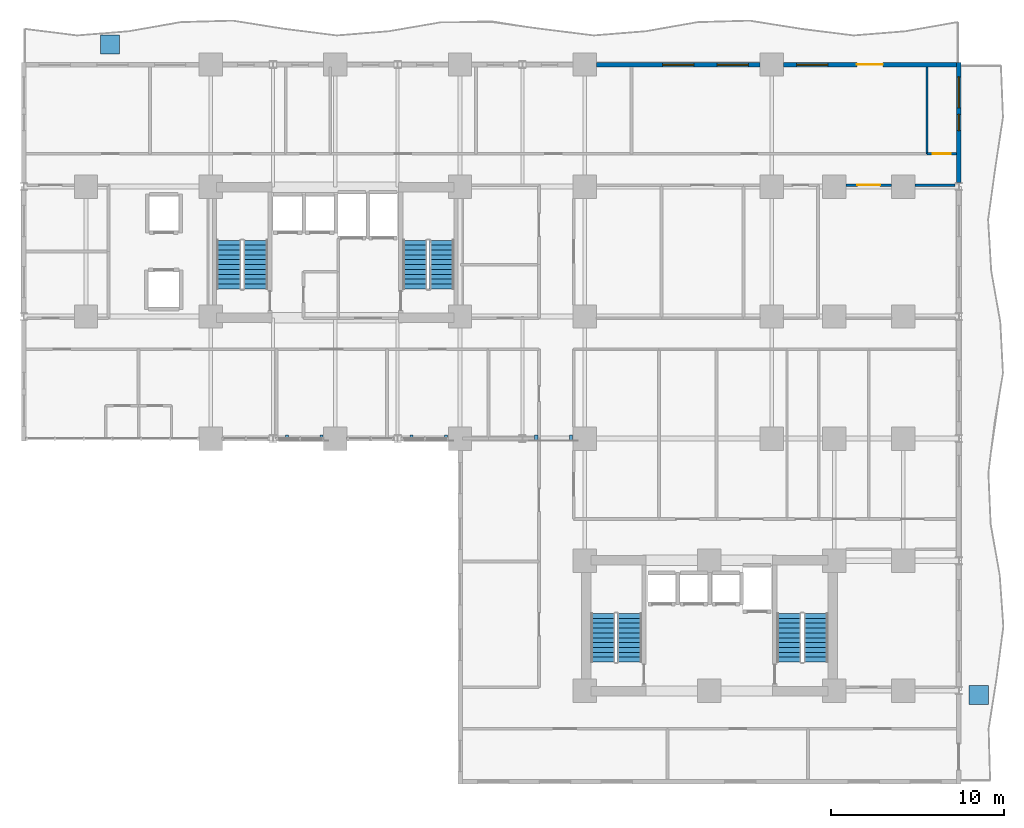
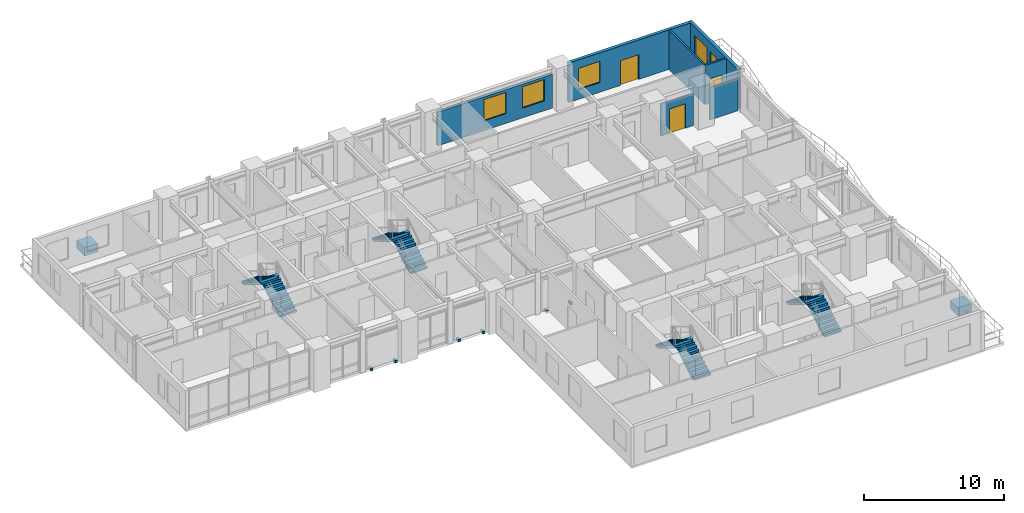
# One storey, part 13 of 16: 8 discrete accessories, 8 stair flights, 7 walls, 5 windows, 3 doors, 8 openings, 4 elements without a shape of their own.
"""IFC4 building model written with IfcOpenShell, lengths in metres."""

from ifc_helpers import new_model, si_unit, direction, frame, frame_2d, origin, origin_2d, place, context, subcontext, project, spatial, polyline, rectangle, outline, extrude, source, transform, mapped, material, layer, layer_set, type_object, element, fill, aggregate, save


model = new_model("IFC4")

# Units and contexts
model_context = context("Model", 3, precision=1e-05, world=origin(), true_north=direction((0.0, 1.0)))
body_context = subcontext(model_context, "Body", "Model", "MODEL_VIEW")
ifc_project = project(units=[si_unit("LENGTHUNIT", "METRE"), si_unit("AREAUNIT", "SQUARE_METRE"), si_unit("VOLUMEUNIT", "CUBIC_METRE"), si_unit("PLANEANGLEUNIT", "RADIAN"), si_unit("MASSUNIT", "GRAM", prefix="KILO")], contexts=[model_context])

# Site, building, storey
site_placement = place(None, origin())
site = spatial("IfcSite", under=ifc_project, at=site_placement, CompositionType="ELEMENT")
building_placement = place(site_placement, origin())
building = spatial("IfcBuilding", under=site, at=building_placement, Name="Kaliganga Portal Commons", CompositionType="ELEMENT")
storey_placement = place(building_placement, frame((0.0, 0.0, 29.0)))
storey = spatial("IfcBuildingStorey", under=building, at=storey_placement, Name="L06", CompositionType="ELEMENT", Elevation=29.0)

# Wall, openings, windows
ifc_material_1 = material(Name="Insulated Aluminium-Clad Spandrel Assembly", Category="aluminium")
ifc_layer_1 = layer(ifc_material_1, 0.260009765625)
ifc_layer_set_1 = layer_set([ifc_layer_1], Name="Insulated Aluminium-Clad Spandrel Assembly")
wall_type_1 = type_object("IfcWallType", Name="WL-EXT-SPAND-260", PredefinedType="STANDARD", material=ifc_layer_set_1)
wall_1_placement = place(storey_placement, frame((57.60009765625, 43.330078125, 0.0), z_axis=(0.0, 0.0, 1.0), x_axis=(0.0, -1.0, 0.0)))
wall_1 = element("IfcWall", 1, at=wall_1_placement, inside=storey, type_object=wall_type_1, Name="Exterior Envelope Wall L06 P1-E01-S6", PredefinedType="STANDARD", context=body_context, shape_type="SweptSolid", body=[
    extrude(rectangle(XDim=6.9560546875, YDim=0.260009765625, at=frame_2d((3.47802734375, 0.0))), origin(), (0.0, 0.0, 1.0), 3.429931640625),
])
opening_1_placement = place(wall_1_placement, frame((0.839111328125, 0.0, 0.85009765625)))
opening_1 = element("IfcOpeningElement", 2, at=opening_1_placement, cuts=wall_1, Name="Opening W-01", PredefinedType="OPENING", context=body_context, shape_type="SweptSolid", body=[
    extrude(rectangle(XDim=1.800048828125, YDim=1.85009765625, at=frame_2d((0.89990234375, 0.925048828125))), frame((0.0, 0.14013671875, 0.0), z_axis=(0.0, -1.0, 0.0), x_axis=(1.0, 0.0, 0.0)), (0.0, 0.0, 1.0), 0.280029296875),
])
opening_2_placement = place(wall_1_placement, frame((3.0029296875, 0.0, 0.85009765625)))
opening_2 = element("IfcOpeningElement", 3, at=opening_2_placement, cuts=wall_1, Name="Opening W-04", PredefinedType="OPENING", context=body_context, shape_type="SweptSolid", body=[
    extrude(rectangle(XDim=0.949951171875, YDim=1.75, at=frame_2d((0.47509765625, 0.875))), frame((0.0, 0.14013671875, 0.0), z_axis=(0.0, -1.0, 0.0), x_axis=(1.0, 0.0, 0.0)), (0.0, 0.0, 1.0), 0.280029296875),
])
ifc_material_2 = material(Name="Thermally Broken Aluminium and Low-E Double Glazing", Category="aluminium")
window_type_1 = type_object("IfcWindowType", Name="WIN-NARROW-950", PartitioningType="SINGLE_PANEL", PredefinedType="WINDOW", material=ifc_material_2)
window_1_placement = place(opening_2_placement, origin())
window_1 = element("IfcWindow", 4, at=window_1_placement, inside=storey, type_object=window_type_1, Name="Facade Window L06-P1E01S6-N0", OverallHeight=1.75, OverallWidth=0.949951171875, PartitioningType="SINGLE_PANEL", PredefinedType="WINDOW", context=body_context, shape_type="SweptSolid", body=[
    extrude(rectangle(XDim=0.949951171875, YDim=1.75, at=frame_2d((0.47509765625, 0.875))), frame((0.0, 0.030029296875, 0.0), z_axis=(0.0, -1.0, 0.0), x_axis=(1.0, 0.0, 0.0)), (0.0, 0.0, 1.0), 0.06005859375),
])
fill(opening_2, window_1)
window_type_2 = type_object("IfcWindowType", Name="WIN-STD-1800", PartitioningType="DOUBLE_PANEL_VERTICAL", PredefinedType="WINDOW", material=ifc_material_2)
window_2_placement = place(opening_1_placement, origin())
window_2 = element("IfcWindow", 5, at=window_2_placement, inside=storey, type_object=window_type_2, Name="Facade Window L06-P1E01S6-00", OverallHeight=1.85009765625, OverallWidth=1.800048828125, PartitioningType="SINGLE_PANEL", PredefinedType="WINDOW", context=body_context, shape_type="SweptSolid", body=[
    extrude(rectangle(XDim=1.800048828125, YDim=1.85009765625, at=frame_2d((0.89990234375, 0.925048828125))), frame((0.0, 0.030029296875, 0.0), z_axis=(0.0, -1.0, 0.0), x_axis=(1.0, 0.0, 0.0)), (0.0, 0.0, 1.0), 0.06005859375),
])
fill(opening_1, window_2)

# Wall, openings, door, window
wall_2_placement = place(storey_placement, frame((47.47607421875, 43.199951171875, 0.0), z_axis=(0.0, 0.0, 1.0), x_axis=(1.0, 0.0, 0.0)))
wall_2 = element("IfcWall", 6, at=wall_2_placement, inside=storey, type_object=wall_type_1, Name="Exterior Envelope Wall L06 P1-E02-S1", PredefinedType="STANDARD", context=body_context, shape_type="SweptSolid", body=[
    extrude(rectangle(XDim=9.989013671875, YDim=0.260009765625, at=frame_2d((4.99462890625, 0.0))), origin(), (0.0, 0.0, 1.0), 3.429931640625),
])
opening_3_placement = place(wall_2_placement, frame((4.2451171875, 0.0, 0.0)))
opening_3 = element("IfcOpeningElement", 7, at=opening_3_placement, cuts=wall_2, Name="Opening BD-01", PredefinedType="OPENING", context=body_context, shape_type="SweptSolid", body=[
    extrude(rectangle(XDim=1.5, YDim=2.14990234375, at=frame_2d((0.75, 1.074951171875))), frame((0.0, 0.14013671875, 0.0), z_axis=(0.0, -1.0, 0.0), x_axis=(1.0, 0.0, 0.0)), (0.0, 0.0, 1.0), 0.280029296875),
])
opening_4_placement = place(wall_2_placement, frame((0.764892578125, 0.0, 0.85009765625)))
opening_4 = element("IfcOpeningElement", 8, at=opening_4_placement, cuts=wall_2, Name="Opening W-01", PredefinedType="OPENING", context=body_context, shape_type="SweptSolid", body=[
    extrude(rectangle(XDim=1.800048828125, YDim=1.85009765625, at=frame_2d((0.89990234375, 0.925048828125))), frame((0.0, 0.14013671875, 0.0), z_axis=(0.0, -1.0, 0.0), x_axis=(1.0, 0.0, 0.0)), (0.0, 0.0, 1.0), 0.280029296875),
])
ifc_material_3 = material(Name="Anodized Aluminium and Laminated Safety Glass", Category="aluminium")
door_type_1 = type_object("IfcDoorType", Name="DR-BALC-1500", OperationType="SLIDING_TO_LEFT", PredefinedType="DOOR", material=ifc_material_3)
door_1_placement = place(opening_3_placement, origin())
door_1 = element("IfcDoor", 9, at=door_1_placement, inside=storey, type_object=door_type_1, Name="Balcony Sliding Door L06 balc_north", OperationType="SLIDING_TO_LEFT", OverallHeight=2.14990234375, OverallWidth=1.5, PredefinedType="DOOR", context=body_context, shape_type="SweptSolid", body=[
    extrude(rectangle(XDim=1.5, YDim=2.14990234375, at=frame_2d((0.75, 1.074951171875))), frame((0.0, 0.02490234375, 0.0), z_axis=(0.0, -1.0, 0.0), x_axis=(1.0, 0.0, 0.0)), (0.0, 0.0, 1.0), 0.050048828125),
])
fill(opening_3, door_1)
window_3_placement = place(opening_4_placement, origin())
window_3 = element("IfcWindow", 10, at=window_3_placement, inside=storey, type_object=window_type_2, Name="Facade Window L06-P1E02S1-00", OverallHeight=1.85009765625, OverallWidth=1.800048828125, PartitioningType="SINGLE_PANEL", PredefinedType="WINDOW", context=body_context, shape_type="SweptSolid", body=[
    extrude(rectangle(XDim=1.800048828125, YDim=1.85009765625, at=frame_2d((0.89990234375, 0.925048828125))), frame((0.0, 0.030029296875, 0.0), z_axis=(0.0, -1.0, 0.0), x_axis=(1.0, 0.0, 0.0)), (0.0, 0.0, 1.0), 0.06005859375),
])
fill(opening_4, window_3)

# Wall, openings, windows
wall_3_placement = place(storey_placement, frame((36.676025390625, 43.199951171875, 0.0), z_axis=(0.0, 0.0, 1.0), x_axis=(1.0, 0.0, 0.0)))
wall_3 = element("IfcWall", 11, at=wall_3_placement, inside=storey, type_object=wall_type_1, Name="Exterior Envelope Wall L06 P1-E02-S2", PredefinedType="STANDARD", context=body_context, shape_type="SweptSolid", body=[
    extrude(rectangle(XDim=9.447998046875, YDim=0.260009765625, at=frame_2d((4.72412109375, 0.0))), origin(), (0.0, 0.0, 1.0), 2.929931640625),
])
opening_5_placement = place(wall_3_placement, frame((3.823974609375, 0.0, 0.85009765625)))
opening_5 = element("IfcOpeningElement", 12, at=opening_5_placement, cuts=wall_3, Name="Opening W-01", PredefinedType="OPENING", context=body_context, shape_type="SweptSolid", body=[
    extrude(rectangle(XDim=1.800048828125, YDim=1.85009765625, at=frame_2d((0.89990234375, 0.925048828125))), frame((0.0, 0.14013671875, 0.0), z_axis=(0.0, -1.0, 0.0), x_axis=(1.0, 0.0, 0.0)), (0.0, 0.0, 1.0), 0.280029296875),
])
opening_6_placement = place(wall_3_placement, frame((6.973388671875, 0.0, 0.85009765625)))
opening_6 = element("IfcOpeningElement", 13, at=opening_6_placement, cuts=wall_3, Name="Opening W-01", PredefinedType="OPENING", context=body_context, shape_type="SweptSolid", body=[
    extrude(rectangle(XDim=1.800048828125, YDim=1.85009765625, at=frame_2d((0.89990234375, 0.925048828125))), frame((0.0, 0.14013671875, 0.0), z_axis=(0.0, -1.0, 0.0), x_axis=(1.0, 0.0, 0.0)), (0.0, 0.0, 1.0), 0.280029296875),
])
window_4_placement = place(opening_5_placement, origin())
window_4 = element("IfcWindow", 14, at=window_4_placement, inside=storey, type_object=window_type_2, Name="Facade Window L06-P1E02S2-01", OverallHeight=1.85009765625, OverallWidth=1.800048828125, PartitioningType="SINGLE_PANEL", PredefinedType="WINDOW", context=body_context, shape_type="SweptSolid", body=[
    extrude(rectangle(XDim=1.800048828125, YDim=1.85009765625, at=frame_2d((0.89990234375, 0.925048828125))), frame((0.0, 0.030029296875, 0.0), z_axis=(0.0, -1.0, 0.0), x_axis=(1.0, 0.0, 0.0)), (0.0, 0.0, 1.0), 0.06005859375),
])
fill(opening_5, window_4)
window_5_placement = place(opening_6_placement, origin())
window_5 = element("IfcWindow", 15, at=window_5_placement, inside=storey, type_object=window_type_2, Name="Facade Window L06-P1E02S2-02", OverallHeight=1.85009765625, OverallWidth=1.800048828125, PartitioningType="SINGLE_PANEL", PredefinedType="WINDOW", context=body_context, shape_type="SweptSolid", body=[
    extrude(rectangle(XDim=1.800048828125, YDim=1.85009765625, at=frame_2d((0.89990234375, 0.925048828125))), frame((0.0, 0.030029296875, 0.0), z_axis=(0.0, -1.0, 0.0), x_axis=(1.0, 0.0, 0.0)), (0.0, 0.0, 1.0), 0.06005859375),
])
fill(opening_6, window_5)

# Wall, opening, door
ifc_material_4 = material(Name="Fire-Rated Gypsum Board on Steel Stud", Category="steel")
ifc_layer_2 = layer(ifc_material_4, 0.14990234375)
ifc_layer_set_2 = layer_set([ifc_layer_2], Name="Fire-Rated Gypsum Board on Steel Stud")
wall_type_2 = type_object("IfcWallType", Name="WL-PART-CORR-150", PredefinedType="PARTITIONING", material=ifc_layer_set_2)
wall_4_placement = place(storey_placement, frame((51.074951171875, 36.239990234375, 0.0), z_axis=(0.0, 0.0, 1.0), x_axis=(1.0, 0.0, 0.0)))
wall_4 = element("IfcWall", 16, at=wall_4_placement, inside=storey, type_object=wall_type_2, Name="Interior Partition L06-013", PredefinedType="PARTITIONING", context=body_context, shape_type="SweptSolid", body=[
    extrude(rectangle(XDim=2.650146484375, YDim=0.14990234375, at=frame_2d((1.3251953125, 0.0))), origin(), (0.0, 0.0, 1.0), 2.780029296875),
])
opening_7_placement = place(wall_4_placement, frame((0.675048828125, 0.0, 0.0)))
opening_7 = element("IfcOpeningElement", 17, at=opening_7_placement, cuts=wall_4, Name="Opening RD-03", PredefinedType="OPENING", context=body_context, shape_type="SweptSolid", body=[
    extrude(rectangle(XDim=1.300048828125, YDim=2.1201171875, at=frame_2d((0.64990234375, 1.06005859375))), frame((0.0, 0.0849609375, 0.0), z_axis=(0.0, -1.0, 0.0), x_axis=(1.0, 0.0, 0.0)), (0.0, 0.0, 1.0), 0.169921875),
])
ifc_material_5 = material(Name="Glazed Timber Seminar Vision Door", Category="wood")
door_type_2 = type_object("IfcDoorType", Name="DR-STUDY-1300", OperationType="DOUBLE_DOOR_SINGLE_SWING", PredefinedType="DOOR", material=ifc_material_5)
door_2_placement = place(opening_7_placement, origin())
door_2 = element("IfcDoor", 18, at=door_2_placement, inside=storey, type_object=door_type_2, Name="Interior Door L06-BK04", OperationType="DOUBLE_DOOR_SINGLE_SWING", OverallHeight=2.1201171875, OverallWidth=1.300048828125, PredefinedType="DOOR", context=body_context, shape_type="SweptSolid", body=[
    extrude(rectangle(XDim=1.300048828125, YDim=2.1201171875, at=frame_2d((0.64990234375, 1.06005859375))), frame((0.0, 0.02490234375, 0.0), z_axis=(0.0, -1.0, 0.0), x_axis=(1.0, 0.0, 0.0)), (0.0, 0.0, 1.0), 0.050048828125),
])
fill(opening_7, door_2)

# Wall
wall_5_placement = place(storey_placement, frame((55.074951171875, 36.239990234375, 0.0), z_axis=(0.0, 0.0, 1.0), x_axis=(1.0, 0.0, 0.0)))
element("IfcWall", 19, at=wall_5_placement, inside=storey, type_object=wall_type_2, Name="Interior Partition L06-014", PredefinedType="PARTITIONING", context=body_context, shape_type="SweptSolid", body=[
    extrude(rectangle(XDim=2.317138671875, YDim=0.14990234375, at=frame_2d((1.15869140625, 0.0))), origin(), (0.0, 0.0, 1.0), 2.780029296875),
])

# Wall, opening, door
wall_6_placement = place(storey_placement, frame((55.760009765625, 38.0400390625, 0.0), z_axis=(0.0, 0.0, 1.0), x_axis=(1.0, 0.0, 0.0)))
wall_6 = element("IfcWall", 20, at=wall_6_placement, inside=storey, type_object=wall_type_2, Name="Interior Partition L06-057", PredefinedType="PARTITIONING", context=body_context, shape_type="SweptSolid", body=[
    extrude(rectangle(XDim=1.7080078125, YDim=0.14990234375, at=frame_2d((0.85400390625, 0.0))), origin(), (0.0, 0.0, 1.0), 3.429931640625),
])
opening_8_placement = place(wall_6_placement, frame((0.3291015625, 0.0, 0.0)))
opening_8 = element("IfcOpeningElement", 21, at=opening_8_placement, cuts=wall_6, Name="Opening UD-02", PredefinedType="OPENING", context=body_context, shape_type="SweptSolid", body=[
    extrude(rectangle(XDim=1.050048828125, YDim=2.1201171875, at=frame_2d((0.52490234375, 1.06005859375))), frame((0.0, 0.0849609375, 0.0), z_axis=(0.0, -1.0, 0.0), x_axis=(1.0, 0.0, 0.0)), (0.0, 0.0, 1.0), 0.169921875),
])
ifc_material_6 = material(Name="Accessible Wide-Leaf Acoustic Fire Door", Category="wood")
door_type_3 = type_object("IfcDoorType", Name="DR-ACC-1050", OperationType="NOTDEFINED", PredefinedType="DOOR", material=ifc_material_6)
door_3_placement = place(opening_8_placement, origin())
door_3 = element("IfcDoor", 22, at=door_3_placement, inside=storey, type_object=door_type_3, Name="Interior Door L06-AN07", OperationType="SINGLE_SWING_LEFT", OverallHeight=2.1201171875, OverallWidth=1.050048828125, PredefinedType="DOOR", context=body_context, shape_type="SweptSolid", body=[
    extrude(rectangle(XDim=1.050048828125, YDim=2.1201171875, at=frame_2d((0.52490234375, 1.06005859375))), frame((0.0, 0.02490234375, 0.0), z_axis=(0.0, -1.0, 0.0), x_axis=(1.0, 0.0, 0.0)), (0.0, 0.0, 1.0), 0.050048828125),
])
fill(opening_8, door_3)

# Wall
ifc_material_7 = material(Name="Cement-Board Wet-Room Partition", Category="gypsum")
ifc_layer_3 = layer(ifc_material_7, 0.135009765625)
ifc_layer_set_3 = layer_set([ifc_layer_3], Name="Cement-Board Wet-Room Partition")
wall_type_3 = type_object("IfcWallType", Name="WL-PART-WET-135", PredefinedType="PARTITIONING", material=ifc_layer_set_3)
wall_7_placement = place(storey_placement, frame((55.760009765625, 38.0400390625, 0.0), z_axis=(0.0, 0.0, 1.0), x_axis=(0.0, 1.0, 0.0)))
element("IfcWall", 23, at=wall_7_placement, inside=storey, type_object=wall_type_3, Name="Interior Partition L06-074", PredefinedType="PARTITIONING", context=body_context, shape_type="SweptSolid", body=[
    extrude(rectangle(XDim=5.028076171875, YDim=0.135009765625, at=frame_2d((2.51416015625, 0.0))), origin(), (0.0, 0.0, 1.0), 3.429931640625),
])

# Stair, stair flights
ifc_material_8 = material(Name="Concrete C40/50", Category="concrete")
stair_type = type_object("IfcStairType", Name="ST-CORE-DOGLEG", PredefinedType="HALF_TURN_STAIR", material=ifc_material_8)
stair_1_placement = place(storey_placement, origin())
stair_1 = element("IfcStair", 24, at=stair_1_placement, inside=storey, type_object=stair_type, Name="L06 Protected Exit Stair ST-A1", PredefinedType="HALF_TURN_STAIR")
stair_flight_type = type_object("IfcStairFlightType", Name="STF-RC-1400", PredefinedType="STRAIGHT", material=ifc_material_8)
stair_flight_1_placement = place(storey_placement, frame((17.0, 30.25, 0.0), z_axis=(0.0, 0.0, 1.0), x_axis=(0.0, 1.0, 0.0)))
stair_flight_1 = element("IfcStairFlight", 25, at=stair_flight_1_placement, type_object=stair_flight_type, Name="ST-A1 flight 1", NumberOfRisers=11, NumberOfTreads=10, PredefinedType="STRAIGHT", RiserHeight=0.168181818, TreadLength=0.28, context=body_context, shape_type="SweptSolid", body=[
    extrude(outline(polyline([(0.0, 0.0), (0.0, 0.168212890625), (0.280029296875, 0.168212890625), (0.280029296875, 0.33642578125), (0.56005859375, 0.33642578125), (0.56005859375, 0.504638671875), (0.840087890625, 0.504638671875), (0.840087890625, 0.672607421875), (1.1201171875, 0.672607421875), (1.1201171875, 0.8408203125), (1.39990234375, 0.8408203125), (1.39990234375, 1.009033203125), (1.679931640625, 1.009033203125), (1.679931640625, 1.17724609375), (1.9599609375, 1.17724609375), (1.9599609375, 1.345458984375), (2.239990234375, 1.345458984375), (2.239990234375, 1.513671875), (2.52001953125, 1.513671875), (2.52001953125, 1.681884765625), (2.800048828125, 1.681884765625), (2.800048828125, 1.85009765625), (2.800048828125, 1.5068359375), (0.291015625, 0.0), (0.0, 0.0)])), frame((0.0, 0.699951171875, 0.0), z_axis=(0.0, -1.0, 0.0), x_axis=(1.0, 0.0, 0.0)), (0.0, 0.0, 1.0), 1.39990234375),
])
stair_flight_2_placement = place(storey_placement, frame((15.449951171875, 33.050048828125, 1.85009765625), z_axis=(0.0, 0.0, 1.0), x_axis=(0.0, -1.0, 0.0)))
stair_flight_2 = element("IfcStairFlight", 26, at=stair_flight_2_placement, type_object=stair_flight_type, Name="ST-A1 flight 2", NumberOfRisers=11, NumberOfTreads=10, PredefinedType="STRAIGHT", RiserHeight=0.168181818, TreadLength=0.28, context=body_context, shape_type="SweptSolid", body=[
    extrude(outline(polyline([(0.0, 0.0), (0.0, 0.168212890625), (0.280029296875, 0.168212890625), (0.280029296875, 0.33642578125), (0.56005859375, 0.33642578125), (0.56005859375, 0.504638671875), (0.840087890625, 0.504638671875), (0.840087890625, 0.672607421875), (1.1201171875, 0.672607421875), (1.1201171875, 0.8408203125), (1.39990234375, 0.8408203125), (1.39990234375, 1.009033203125), (1.679931640625, 1.009033203125), (1.679931640625, 1.17724609375), (1.9599609375, 1.17724609375), (1.9599609375, 1.345458984375), (2.239990234375, 1.345458984375), (2.239990234375, 1.513671875), (2.52001953125, 1.513671875), (2.52001953125, 1.681884765625), (2.800048828125, 1.681884765625), (2.800048828125, 1.85009765625), (2.800048828125, 1.5068359375), (0.291015625, 0.0), (0.0, 0.0)])), frame((0.0, 0.699951171875, 0.0), z_axis=(0.0, -1.0, 0.0), x_axis=(1.0, 0.0, 0.0)), (0.0, 0.0, 1.0), 1.39990234375),
])
aggregate(stair_1, [stair_flight_1, stair_flight_2])

stair_2_placement = place(storey_placement, origin())
stair_2 = element("IfcStair", 27, at=stair_2_placement, inside=storey, type_object=stair_type, Name="L06 Protected Exit Stair ST-A2", PredefinedType="HALF_TURN_STAIR")
stair_flight_3_placement = place(storey_placement, frame((27.75, 30.25, 0.0), z_axis=(0.0, 0.0, 1.0), x_axis=(0.0, 1.0, 0.0)))
stair_flight_3 = element("IfcStairFlight", 28, at=stair_flight_3_placement, type_object=stair_flight_type, Name="ST-A2 flight 1", NumberOfRisers=11, NumberOfTreads=10, PredefinedType="STRAIGHT", RiserHeight=0.168181818, TreadLength=0.28, context=body_context, shape_type="SweptSolid", body=[
    extrude(outline(polyline([(0.0, 0.0), (0.0, 0.168212890625), (0.280029296875, 0.168212890625), (0.280029296875, 0.33642578125), (0.56005859375, 0.33642578125), (0.56005859375, 0.504638671875), (0.840087890625, 0.504638671875), (0.840087890625, 0.672607421875), (1.1201171875, 0.672607421875), (1.1201171875, 0.8408203125), (1.39990234375, 0.8408203125), (1.39990234375, 1.009033203125), (1.679931640625, 1.009033203125), (1.679931640625, 1.17724609375), (1.9599609375, 1.17724609375), (1.9599609375, 1.345458984375), (2.239990234375, 1.345458984375), (2.239990234375, 1.513671875), (2.52001953125, 1.513671875), (2.52001953125, 1.681884765625), (2.800048828125, 1.681884765625), (2.800048828125, 1.85009765625), (2.800048828125, 1.5068359375), (0.291015625, 0.0), (0.0, 0.0)])), frame((0.0, 0.699951171875, 0.0), z_axis=(0.0, -1.0, 0.0), x_axis=(1.0, 0.0, 0.0)), (0.0, 0.0, 1.0), 1.39990234375),
])
stair_flight_4_placement = place(storey_placement, frame((26.199951171875, 33.050048828125, 1.85009765625), z_axis=(0.0, 0.0, 1.0), x_axis=(0.0, -1.0, 0.0)))
stair_flight_4 = element("IfcStairFlight", 29, at=stair_flight_4_placement, type_object=stair_flight_type, Name="ST-A2 flight 2", NumberOfRisers=11, NumberOfTreads=10, PredefinedType="STRAIGHT", RiserHeight=0.168181818, TreadLength=0.28, context=body_context, shape_type="SweptSolid", body=[
    extrude(outline(polyline([(0.0, 0.0), (0.0, 0.168212890625), (0.280029296875, 0.168212890625), (0.280029296875, 0.33642578125), (0.56005859375, 0.33642578125), (0.56005859375, 0.504638671875), (0.840087890625, 0.504638671875), (0.840087890625, 0.672607421875), (1.1201171875, 0.672607421875), (1.1201171875, 0.8408203125), (1.39990234375, 0.8408203125), (1.39990234375, 1.009033203125), (1.679931640625, 1.009033203125), (1.679931640625, 1.17724609375), (1.9599609375, 1.17724609375), (1.9599609375, 1.345458984375), (2.239990234375, 1.345458984375), (2.239990234375, 1.513671875), (2.52001953125, 1.513671875), (2.52001953125, 1.681884765625), (2.800048828125, 1.681884765625), (2.800048828125, 1.85009765625), (2.800048828125, 1.5068359375), (0.291015625, 0.0), (0.0, 0.0)])), frame((0.0, 0.699951171875, 0.0), z_axis=(0.0, -1.0, 0.0), x_axis=(1.0, 0.0, 0.0)), (0.0, 0.0, 1.0), 1.39990234375),
])
aggregate(stair_2, [stair_flight_3, stair_flight_4])

stair_3_placement = place(storey_placement, origin())
stair_3 = element("IfcStair", 30, at=stair_3_placement, inside=storey, type_object=stair_type, Name="L06 Protected Exit Stair ST-B1", PredefinedType="HALF_TURN_STAIR")
stair_flight_5_placement = place(storey_placement, frame((38.60009765625, 8.699951171875, 0.0), z_axis=(0.0, 0.0, 1.0), x_axis=(0.0, 1.0, 0.0)))
stair_flight_5 = element("IfcStairFlight", 31, at=stair_flight_5_placement, type_object=stair_flight_type, Name="ST-B1 flight 1", NumberOfRisers=11, NumberOfTreads=10, PredefinedType="STRAIGHT", RiserHeight=0.168181818, TreadLength=0.28, context=body_context, shape_type="SweptSolid", body=[
    extrude(outline(polyline([(0.0, 0.0), (0.0, 0.168212890625), (0.280029296875, 0.168212890625), (0.280029296875, 0.33642578125), (0.56005859375, 0.33642578125), (0.56005859375, 0.504638671875), (0.840087890625, 0.504638671875), (0.840087890625, 0.672607421875), (1.1201171875, 0.672607421875), (1.1201171875, 0.8408203125), (1.39990234375, 0.8408203125), (1.39990234375, 1.009033203125), (1.679931640625, 1.009033203125), (1.679931640625, 1.17724609375), (1.9599609375, 1.17724609375), (1.9599609375, 1.345458984375), (2.239990234375, 1.345458984375), (2.239990234375, 1.513671875), (2.52001953125, 1.513671875), (2.52001953125, 1.681884765625), (2.800048828125, 1.681884765625), (2.800048828125, 1.85009765625), (2.800048828125, 1.5068359375), (0.291015625, 0.0), (0.0, 0.0)])), frame((0.0, 0.699951171875, 0.0), z_axis=(0.0, -1.0, 0.0), x_axis=(1.0, 0.0, 0.0)), (0.0, 0.0, 1.0), 1.39990234375),
])
stair_flight_6_placement = place(storey_placement, frame((37.050048828125, 11.5, 1.85009765625), z_axis=(0.0, 0.0, 1.0), x_axis=(0.0, -1.0, 0.0)))
stair_flight_6 = element("IfcStairFlight", 32, at=stair_flight_6_placement, type_object=stair_flight_type, Name="ST-B1 flight 2", NumberOfRisers=11, NumberOfTreads=10, PredefinedType="STRAIGHT", RiserHeight=0.168181818, TreadLength=0.28, context=body_context, shape_type="SweptSolid", body=[
    extrude(outline(polyline([(0.0, 0.0), (0.0, 0.168212890625), (0.280029296875, 0.168212890625), (0.280029296875, 0.33642578125), (0.56005859375, 0.33642578125), (0.56005859375, 0.504638671875), (0.840087890625, 0.504638671875), (0.840087890625, 0.672607421875), (1.1201171875, 0.672607421875), (1.1201171875, 0.8408203125), (1.39990234375, 0.8408203125), (1.39990234375, 1.009033203125), (1.679931640625, 1.009033203125), (1.679931640625, 1.17724609375), (1.9599609375, 1.17724609375), (1.9599609375, 1.345458984375), (2.239990234375, 1.345458984375), (2.239990234375, 1.513671875), (2.52001953125, 1.513671875), (2.52001953125, 1.681884765625), (2.800048828125, 1.681884765625), (2.800048828125, 1.85009765625), (2.800048828125, 1.5068359375), (0.291015625, 0.0), (0.0, 0.0)])), frame((0.0, 0.699951171875, 0.0), z_axis=(0.0, -1.0, 0.0), x_axis=(1.0, 0.0, 0.0)), (0.0, 0.0, 1.0), 1.39990234375),
])
aggregate(stair_3, [stair_flight_5, stair_flight_6])

stair_4_placement = place(storey_placement, origin())
stair_4 = element("IfcStair", 33, at=stair_4_placement, inside=storey, type_object=stair_type, Name="L06 Protected Exit Stair ST-B2", PredefinedType="HALF_TURN_STAIR")
stair_flight_7_placement = place(storey_placement, frame((49.35009765625, 8.699951171875, 0.0), z_axis=(0.0, 0.0, 1.0), x_axis=(0.0, 1.0, 0.0)))
stair_flight_7 = element("IfcStairFlight", 34, at=stair_flight_7_placement, type_object=stair_flight_type, Name="ST-B2 flight 1", NumberOfRisers=11, NumberOfTreads=10, PredefinedType="STRAIGHT", RiserHeight=0.168181818, TreadLength=0.28, context=body_context, shape_type="SweptSolid", body=[
    extrude(outline(polyline([(0.0, 0.0), (0.0, 0.168212890625), (0.280029296875, 0.168212890625), (0.280029296875, 0.33642578125), (0.56005859375, 0.33642578125), (0.56005859375, 0.504638671875), (0.840087890625, 0.504638671875), (0.840087890625, 0.672607421875), (1.1201171875, 0.672607421875), (1.1201171875, 0.8408203125), (1.39990234375, 0.8408203125), (1.39990234375, 1.009033203125), (1.679931640625, 1.009033203125), (1.679931640625, 1.17724609375), (1.9599609375, 1.17724609375), (1.9599609375, 1.345458984375), (2.239990234375, 1.345458984375), (2.239990234375, 1.513671875), (2.52001953125, 1.513671875), (2.52001953125, 1.681884765625), (2.800048828125, 1.681884765625), (2.800048828125, 1.85009765625), (2.800048828125, 1.5068359375), (0.291015625, 0.0), (0.0, 0.0)])), frame((0.0, 0.699951171875, 0.0), z_axis=(0.0, -1.0, 0.0), x_axis=(1.0, 0.0, 0.0)), (0.0, 0.0, 1.0), 1.39990234375),
])
stair_flight_8_placement = place(storey_placement, frame((47.800048828125, 11.5, 1.85009765625), z_axis=(0.0, 0.0, 1.0), x_axis=(0.0, -1.0, 0.0)))
stair_flight_8 = element("IfcStairFlight", 35, at=stair_flight_8_placement, type_object=stair_flight_type, Name="ST-B2 flight 2", NumberOfRisers=11, NumberOfTreads=10, PredefinedType="STRAIGHT", RiserHeight=0.168181818, TreadLength=0.28, context=body_context, shape_type="SweptSolid", body=[
    extrude(outline(polyline([(0.0, 0.0), (0.0, 0.168212890625), (0.280029296875, 0.168212890625), (0.280029296875, 0.33642578125), (0.56005859375, 0.33642578125), (0.56005859375, 0.504638671875), (0.840087890625, 0.504638671875), (0.840087890625, 0.672607421875), (1.1201171875, 0.672607421875), (1.1201171875, 0.8408203125), (1.39990234375, 0.8408203125), (1.39990234375, 1.009033203125), (1.679931640625, 1.009033203125), (1.679931640625, 1.17724609375), (1.9599609375, 1.17724609375), (1.9599609375, 1.345458984375), (2.239990234375, 1.345458984375), (2.239990234375, 1.513671875), (2.52001953125, 1.513671875), (2.52001953125, 1.681884765625), (2.800048828125, 1.681884765625), (2.800048828125, 1.85009765625), (2.800048828125, 1.5068359375), (0.291015625, 0.0), (0.0, 0.0)])), frame((0.0, 0.699951171875, 0.0), z_axis=(0.0, -1.0, 0.0), x_axis=(1.0, 0.0, 0.0)), (0.0, 0.0, 1.0), 1.39990234375),
])
aggregate(stair_4, [stair_flight_7, stair_flight_8])

# Discrete accessories
ifc_material_9 = material(Name="Precast concrete C40/50", Category="concrete")
discrete_accessory_type_1 = type_object("IfcDiscreteAccessoryType", Name="DAC-PLANTER-RC", PredefinedType="USERDEFINED", material=ifc_material_9)
shared_shape_1 = source(origin(), body_context, "Body", "SweptSolid", [
    extrude(rectangle(XDim=1.10009765625, YDim=1.10009765625, at=origin_2d()), origin(), (0.0, 0.0, 1.0), 0.719970703125),
])
for number, where, z_axis, x_axis, name in (
    (36, (8.60009765625, 44.35009765625, 0.0), (0.0, 0.0, 1.0), (1.0, 0.0, 0.0), "Structural Tree Planter L06 balc_north"),
    (37, (58.75, 6.800048828125, 0.0), (0.0, 0.0, 1.0), (1.0, 0.0, 0.0), "Structural Tree Planter L06 balc_east"),
):
    element("IfcDiscreteAccessory", number, at=place(storey_placement, frame(where, z_axis=z_axis, x_axis=x_axis)), inside=storey, type_object=discrete_accessory_type_1, Name=name, ObjectType="PLANTER", PredefinedType="USERDEFINED", context=body_context, shape_type="MappedRepresentation", body=[
        mapped(shared_shape_1, transform((0.0, 0.0, 0.0), x_axis=(1.0, 0.0, 0.0), y_axis=(0.0, 1.0, 0.0), z_axis=(0.0, 0.0, 1.0), scale=1.0)),
    ])
ifc_material_10 = material(Name="Structural steel S355J2", Category="steel")
discrete_accessory_type_2 = type_object("IfcDiscreteAccessoryType", Name="DAC-BRK-SCR", PredefinedType="BRACKET", material=ifc_material_10)
shared_shape_2 = source(origin(), body_context, "Body", "SweptSolid", [
    extrude(rectangle(XDim=0.179931640625, YDim=0.360107421875, at=origin_2d()), origin(), (0.0, 0.0, 1.0), 0.219970703125),
])
for number, where, z_axis, x_axis, name in (
    (38, (18.800048828125, 21.6201171875, -0.18994140625), (0.0, 0.0, 1.0), (1.0, 0.0, 0.0), "Solar Screen Outrigger Bracket L06-S1-1"),
    (39, (20.800048828125, 21.6201171875, -0.18994140625), (0.0, 0.0, 1.0), (1.0, 0.0, 0.0), "Solar Screen Outrigger Bracket L06-S1-2"),
    (40, (26.0, 21.6201171875, -0.18994140625), (0.0, 0.0, 1.0), (1.0, 0.0, 0.0), "Solar Screen Outrigger Bracket L06-S2-1"),
    (41, (28.0, 21.6201171875, -0.18994140625), (0.0, 0.0, 1.0), (1.0, 0.0, 0.0), "Solar Screen Outrigger Bracket L06-S2-2"),
    (42, (33.199951171875, 21.6201171875, -0.18994140625), (0.0, 0.0, 1.0), (1.0, 0.0, 0.0), "Solar Screen Outrigger Bracket L06-S3-1"),
    (43, (35.199951171875, 21.6201171875, -0.18994140625), (0.0, 0.0, 1.0), (1.0, 0.0, 0.0), "Solar Screen Outrigger Bracket L06-S3-2"),
):
    element("IfcDiscreteAccessory", number, at=place(storey_placement, frame(where, z_axis=z_axis, x_axis=x_axis)), inside=storey, type_object=discrete_accessory_type_2, Name=name, PredefinedType="BRACKET", context=body_context, shape_type="MappedRepresentation", body=[
        mapped(shared_shape_2, transform((0.0, 0.0, 0.0), x_axis=(1.0, 0.0, 0.0), y_axis=(0.0, 1.0, 0.0), z_axis=(0.0, 0.0, 1.0), scale=1.0)),
    ])

save(model, "model.ifc")
